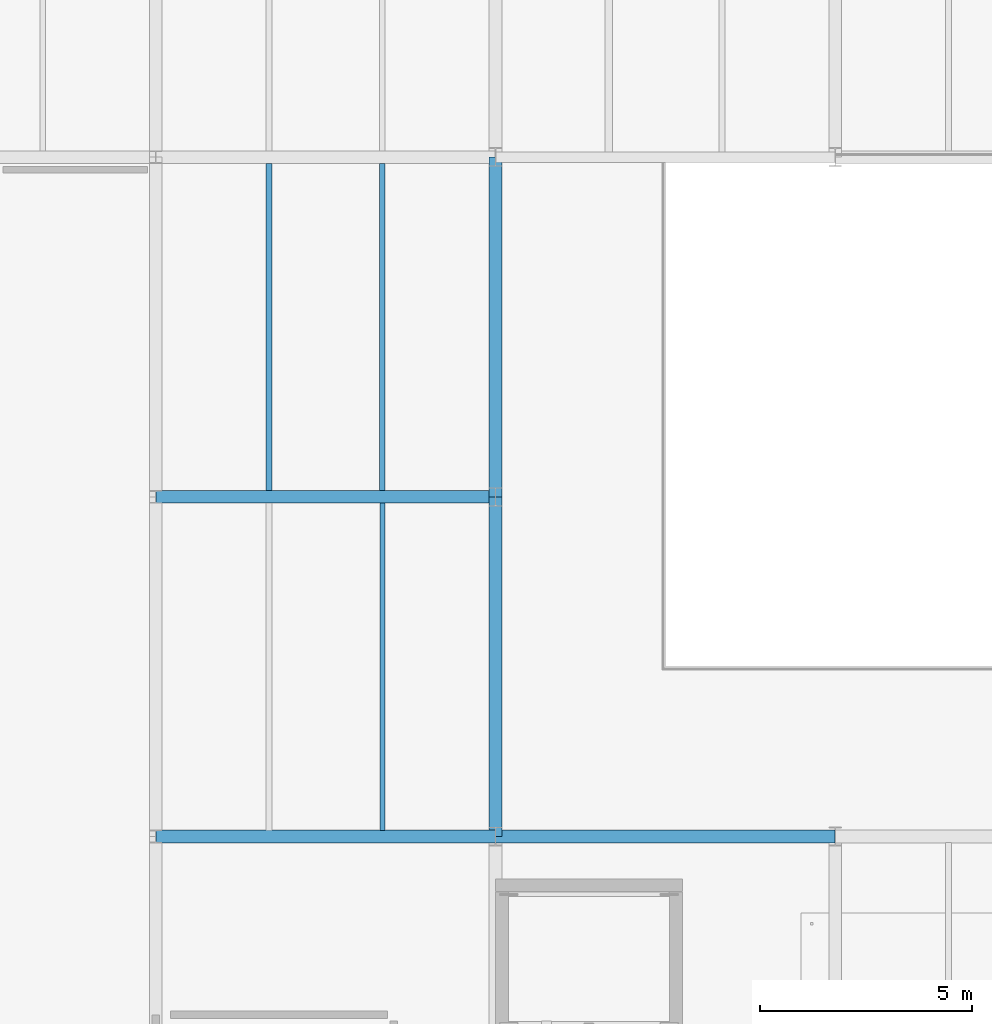
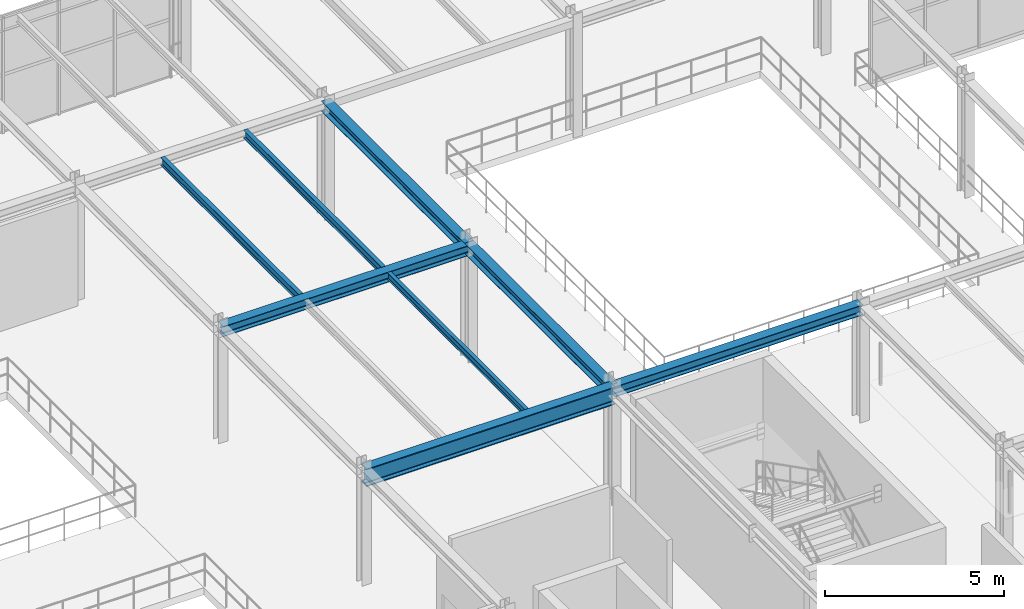
# One storey, part 45 of 124: 8 beams.
"""IFC4 building model written with IfcOpenShell, lengths in metres."""

from ifc_helpers import new_model, si_unit, direction, frame, origin, origin_2d, place, context, subcontext, project, spatial, i_section, extrude, material, material_profile, profile_set, type_object, element, save


model = new_model("IFC4")

# Units and contexts
model_context = context("Model", 3, precision=1e-05, world=origin(), true_north=direction((0.0, 1.0)))
body_context = subcontext(model_context, "Body", "Model", "MODEL_VIEW")
ifc_project = project(units=[si_unit("LENGTHUNIT", "METRE"), si_unit("AREAUNIT", "SQUARE_METRE"), si_unit("VOLUMEUNIT", "CUBIC_METRE"), si_unit("PLANEANGLEUNIT", "RADIAN"), si_unit("MASSUNIT", "GRAM", prefix="KILO")], contexts=[model_context])

# Site, building, storey
site_placement = place(None, origin())
site = spatial("IfcSite", under=ifc_project, at=site_placement, CompositionType="ELEMENT")
building_placement = place(site_placement, origin())
building = spatial("IfcBuilding", under=site, at=building_placement, Name="Sundkrona Museum", CompositionType="ELEMENT")
storey_placement = place(building_placement, frame((0.0, 0.0, 17.60009765625)))
storey = spatial("IfcBuildingStorey", under=building, at=storey_placement, Name="L03", CompositionType="ELEMENT", Elevation=17.60009765625)

# Beams
ifc_material = material(Name="Steel S355J2", Category="steel")
ifc_material_profile_1 = material_profile(ifc_material, i_section(OverallWidth=0.300048828125, OverallDepth=0.35009765625, WebThickness=0.010009765625, FlangeThickness=0.017578125, FilletRadius=0.027099609375, at=origin_2d()), Name="HEA 360")
ifc_profile_set_1 = profile_set([ifc_material_profile_1], Name="Steel S355J2")
beam_type_1 = type_object("IfcBeamType", Name="B-HEA360", PredefinedType="BEAM", material=ifc_profile_set_1)
for number, where, z_axis, x_axis, name in (
    (1, (120.0, 16.0, 3.764892578125), (1.0, 0.0, 0.0), (0.0, 1.0, 0.0), "L03 Girder X-1432"),
    (2, (112.0, 24.0, 3.764892578125), (1.0, 0.0, 0.0), (0.0, 1.0, 0.0), "L03 Girder X-1439"),
    (3, (120.0, 16.0, 3.764892578125), (0.0, 1.0, 0.0), (-1.0, 0.0, 0.0), "L03 Girder Y-1624"),
    (4, (120.0, 24.0, 3.764892578125), (0.0, 1.0, 0.0), (-1.0, 0.0, 0.0), "L03 Girder Y-1625"),
):
    element("IfcBeam", number, at=place(storey_placement, frame(where, z_axis=z_axis, x_axis=x_axis)), inside=storey, type_object=beam_type_1, Name=name, PredefinedType="BEAM", context=body_context, shape_type="SweptSolid", body=[
        extrude(i_section(OverallWidth=0.300048828125, OverallDepth=0.35009765625, WebThickness=0.010009765625, FlangeThickness=0.017578125, FilletRadius=0.027099609375, at=origin_2d()), origin(), (0.0, 0.0, 1.0), 8.0),
    ])
ifc_material_profile_2 = material_profile(ifc_material, i_section(OverallWidth=0.300048828125, OverallDepth=0.60009765625, WebThickness=0.015380859375, FlangeThickness=0.030029296875, FilletRadius=0.027099609375, at=origin_2d()), Name="HEB 600")
ifc_profile_set_2 = profile_set([ifc_material_profile_2], Name="Steel S355J2")
beam_type_2 = type_object("IfcBeamType", Name="B-HEB600", PredefinedType="BEAM", material=ifc_profile_set_2)
beam_1_placement = place(storey_placement, frame((112.0, 16.0, 3.639892578125), z_axis=(1.0, 0.0, 0.0), x_axis=(0.0, 1.0, 0.0)))
element("IfcBeam", 5, at=beam_1_placement, inside=storey, type_object=beam_type_2, Name="L03 Girder X-1431", PredefinedType="BEAM", context=body_context, shape_type="SweptSolid", body=[
    extrude(i_section(OverallWidth=0.300048828125, OverallDepth=0.60009765625, WebThickness=0.015380859375, FlangeThickness=0.030029296875, FilletRadius=0.027099609375, at=origin_2d()), origin(), (0.0, 0.0, 1.0), 8.0),
])
ifc_material_profile_3 = material_profile(ifc_material, i_section(OverallWidth=0.1201171875, OverallDepth=0.239990234375, WebThickness=0.006103515625, FlangeThickness=0.009765625, FilletRadius=0.014892578125, at=origin_2d()), Name="IPE 240")
ifc_profile_set_3 = profile_set([ifc_material_profile_3], Name="Steel S355J2")
beam_type_3 = type_object("IfcBeamType", Name="J-IPE240", PredefinedType="JOIST", material=ifc_profile_set_3)
beam_2_placement = place(storey_placement, frame((117.333251953125, 16.14404296875, 3.81982421875), z_axis=(0.0, 1.0, 0.0), x_axis=(-1.0, 0.0, 0.0)))
element("IfcBeam", 6, at=beam_2_placement, inside=storey, type_object=beam_type_3, Name="L03 Composite Joist 1065", PredefinedType="JOIST", context=body_context, shape_type="SweptSolid", body=[
    extrude(i_section(OverallWidth=0.1201171875, OverallDepth=0.239990234375, WebThickness=0.006103515625, FlangeThickness=0.009765625, FilletRadius=0.014892578125, at=origin_2d()), origin(), (0.0, 0.0, 1.0), 7.7119140625),
])
ifc_material_profile_4 = material_profile(ifc_material, i_section(OverallWidth=0.135009765625, OverallDepth=0.27001953125, WebThickness=0.006591796875, FlangeThickness=0.01025390625, FilletRadius=0.014892578125, at=origin_2d()), Name="IPE 270")
ifc_profile_set_4 = profile_set([ifc_material_profile_4], Name="Steel S355J2")
beam_type_4 = type_object("IfcBeamType", Name="J-IPE270", PredefinedType="JOIST", material=ifc_profile_set_4)
for number, where, z_axis, x_axis, name in (
    (7, (114.666748046875, 24.14404296875, 3.804931640625), (0.0, 1.0, 0.0), (-1.0, 0.0, 0.0), "L03 Composite Joist 1066"),
    (8, (117.333251953125, 24.14404296875, 3.804931640625), (0.0, 1.0, 0.0), (-1.0, 0.0, 0.0), "L03 Composite Joist 1067"),
):
    element("IfcBeam", number, at=place(storey_placement, frame(where, z_axis=z_axis, x_axis=x_axis)), inside=storey, type_object=beam_type_4, Name=name, PredefinedType="JOIST", context=body_context, shape_type="SweptSolid", body=[
        extrude(i_section(OverallWidth=0.135009765625, OverallDepth=0.27001953125, WebThickness=0.006591796875, FlangeThickness=0.01025390625, FilletRadius=0.014892578125, at=origin_2d()), origin(), (0.0, 0.0, 1.0), 7.7119140625),
    ])

save(model, "model.ifc")
